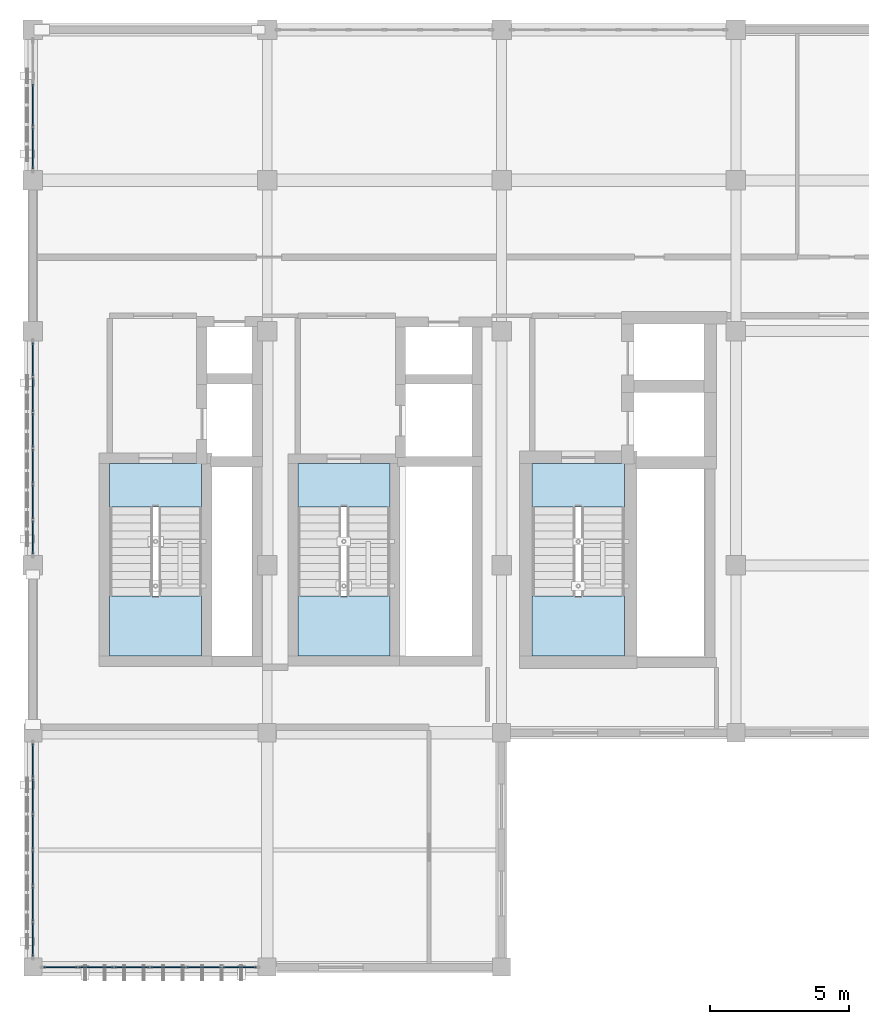
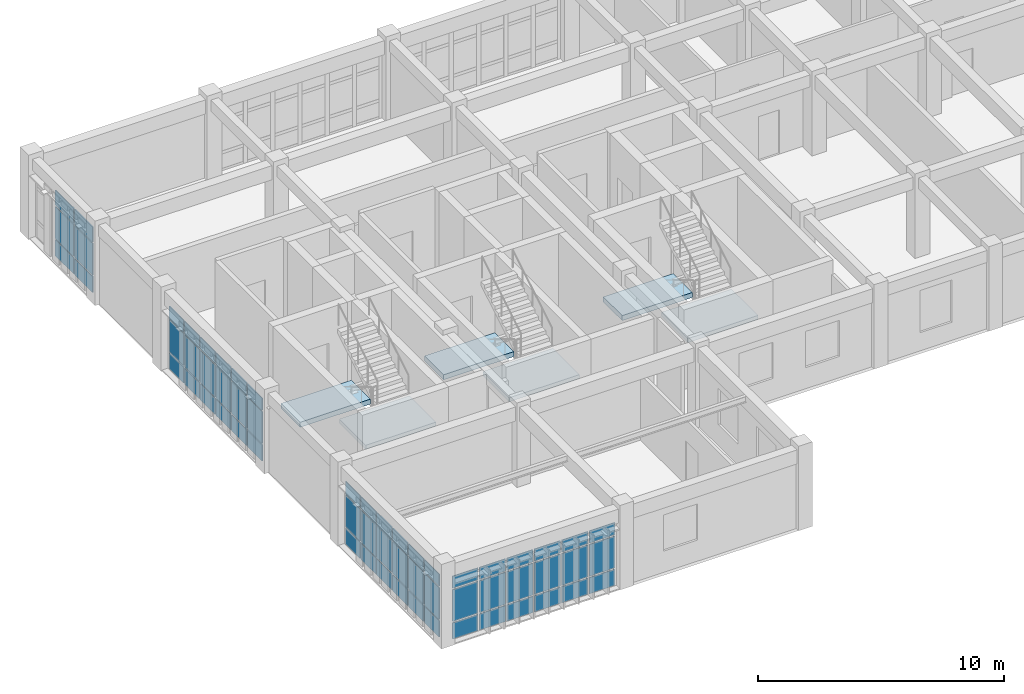
# One storey, part 16 of 22: 60 plates, 6 slabs, 7 elements without a shape of their own.
"""IFC4 building model written with IfcOpenShell, lengths in metres."""

from ifc_helpers import new_model, si_unit, direction, frame, origin, origin_2d, place, context, subcontext, project, spatial, polyline, rectangle, outline, extrude, material, layer, layer_set, type_object, element, aggregate, save


model = new_model("IFC4")

# Units and contexts
model_context = context("Model", 3, precision=1e-05, world=origin(), true_north=direction((0.0, 1.0)))
body_context = subcontext(model_context, "Body", "Model", "MODEL_VIEW")
ifc_project = project(units=[si_unit("LENGTHUNIT", "METRE"), si_unit("AREAUNIT", "SQUARE_METRE"), si_unit("VOLUMEUNIT", "CUBIC_METRE"), si_unit("PLANEANGLEUNIT", "RADIAN"), si_unit("MASSUNIT", "GRAM", prefix="KILO")], contexts=[model_context])

# Site, building, storey
site_placement = place(None, origin())
site = spatial("IfcSite", under=ifc_project, at=site_placement, CompositionType="ELEMENT")
building_placement = place(site_placement, origin())
building = spatial("IfcBuilding", under=site, at=building_placement, Name="Krzemoval Escarpment Law Courts", CompositionType="ELEMENT")
storey_placement = place(building_placement, frame((0.0, 0.0, 29.39990234375)))
storey = spatial("IfcBuildingStorey", under=building, at=storey_placement, Name="L06", CompositionType="ELEMENT", Elevation=29.39990234375)

# Curtain wall, plates
ifc_material_1 = material(Name="Aluminium 6063-T6", Category="aluminium")
ifc_layer_1 = layer(ifc_material_1, 0.219970703125)
ifc_layer_set_1 = layer_set([ifc_layer_1], Name="Aluminium 6063-T6")
curtain_wall_type = type_object("IfcCurtainWallType", Name="CW-CHMB-4200", PredefinedType="USERDEFINED", material=ifc_layer_set_1)
curtain_wall_1_placement = place(storey_placement, origin())
curtain_wall_1 = element("IfcCurtainWall", 1, at=curtain_wall_1_placement, inside=storey, type_object=curtain_wall_type, Name="Unitised Curtain Wall FCW-L06-145", ObjectType="UNITISED_CURTAIN_WALL", PredefinedType="USERDEFINED")
ifc_material_2 = material(Name="Triple Glazing IGU", Category="glass")
ifc_layer_2 = layer(ifc_material_2, 0.0419921875)
ifc_layer_set_2 = layer_set([ifc_layer_2], Name="Triple Glazing IGU")
plate_type = type_object("IfcPlateType", Name="CWP-GLZ-42", PredefinedType="CURTAIN_PANEL", material=ifc_layer_set_2)
plate_1_placement = place(storey_placement, frame((133.412841796875, 85.199951171875, 0.06494140625), z_axis=(0.0, 0.0, 1.0), x_axis=(-1.0, 0.0, 0.0)))
plate_1 = element("IfcPlate", 2, at=plate_1_placement, type_object=plate_type, Name="FCW-L06-145 panel 1.1", PredefinedType="CURTAIN_PANEL", context=body_context, shape_type="SweptSolid", body=[
    extrude(rectangle(XDim=1.194091796875, YDim=0.0419921875, at=origin_2d()), origin(), (0.0, 0.0, 1.0), 0.802490234375),
])
plate_2_placement = place(storey_placement, frame((133.412841796875, 85.199951171875, 0.9326171875), z_axis=(0.0, 0.0, 1.0), x_axis=(-1.0, 0.0, 0.0)))
plate_2 = element("IfcPlate", 3, at=plate_2_placement, type_object=plate_type, Name="FCW-L06-145 panel 1.2", PredefinedType="CURTAIN_PANEL", context=body_context, shape_type="SweptSolid", body=[
    extrude(rectangle(XDim=1.194091796875, YDim=0.0419921875, at=origin_2d()), origin(), (0.0, 0.0, 1.0), 1.5849609375),
])
plate_3_placement = place(storey_placement, frame((133.412841796875, 85.199951171875, 2.58251953125), z_axis=(0.0, 0.0, 1.0), x_axis=(-1.0, 0.0, 0.0)))
plate_3 = element("IfcPlate", 4, at=plate_3_placement, type_object=plate_type, Name="FCW-L06-145 panel 1.3", PredefinedType="CURTAIN_PANEL", context=body_context, shape_type="SweptSolid", body=[
    extrude(rectangle(XDim=1.194091796875, YDim=0.0419921875, at=origin_2d()), origin(), (0.0, 0.0, 1.0), 0.6025390625),
])
plate_4_placement = place(storey_placement, frame((132.137451171875, 85.199951171875, 0.06494140625), z_axis=(0.0, 0.0, 1.0), x_axis=(-1.0, 0.0, 0.0)))
plate_4 = element("IfcPlate", 5, at=plate_4_placement, type_object=plate_type, Name="FCW-L06-145 panel 2.1", PredefinedType="CURTAIN_PANEL", context=body_context, shape_type="SweptSolid", body=[
    extrude(rectangle(XDim=1.2265625, YDim=0.0419921875, at=origin_2d()), origin(), (0.0, 0.0, 1.0), 0.802490234375),
])
plate_5_placement = place(storey_placement, frame((132.137451171875, 85.199951171875, 0.9326171875), z_axis=(0.0, 0.0, 1.0), x_axis=(-1.0, 0.0, 0.0)))
plate_5 = element("IfcPlate", 6, at=plate_5_placement, type_object=plate_type, Name="FCW-L06-145 panel 2.2", PredefinedType="CURTAIN_PANEL", context=body_context, shape_type="SweptSolid", body=[
    extrude(rectangle(XDim=1.2265625, YDim=0.0419921875, at=origin_2d()), origin(), (0.0, 0.0, 1.0), 1.5849609375),
])
plate_6_placement = place(storey_placement, frame((132.137451171875, 85.199951171875, 2.58251953125), z_axis=(0.0, 0.0, 1.0), x_axis=(-1.0, 0.0, 0.0)))
plate_6 = element("IfcPlate", 7, at=plate_6_placement, type_object=plate_type, Name="FCW-L06-145 panel 2.3", PredefinedType="CURTAIN_PANEL", context=body_context, shape_type="SweptSolid", body=[
    extrude(rectangle(XDim=1.2265625, YDim=0.0419921875, at=origin_2d()), origin(), (0.0, 0.0, 1.0), 0.6025390625),
])
plate_7_placement = place(storey_placement, frame((130.845947265625, 85.199951171875, 0.06494140625), z_axis=(0.0, 0.0, 1.0), x_axis=(-1.0, 0.0, 0.0)))
plate_7 = element("IfcPlate", 8, at=plate_7_placement, type_object=plate_type, Name="FCW-L06-145 panel 3.1", PredefinedType="CURTAIN_PANEL", context=body_context, shape_type="SweptSolid", body=[
    extrude(rectangle(XDim=1.2265625, YDim=0.0419921875, at=origin_2d()), origin(), (0.0, 0.0, 1.0), 0.802490234375),
])
plate_8_placement = place(storey_placement, frame((130.845947265625, 85.199951171875, 0.9326171875), z_axis=(0.0, 0.0, 1.0), x_axis=(-1.0, 0.0, 0.0)))
plate_8 = element("IfcPlate", 9, at=plate_8_placement, type_object=plate_type, Name="FCW-L06-145 panel 3.2", PredefinedType="CURTAIN_PANEL", context=body_context, shape_type="SweptSolid", body=[
    extrude(rectangle(XDim=1.2265625, YDim=0.0419921875, at=origin_2d()), origin(), (0.0, 0.0, 1.0), 1.5849609375),
])
plate_9_placement = place(storey_placement, frame((130.845947265625, 85.199951171875, 2.58251953125), z_axis=(0.0, 0.0, 1.0), x_axis=(-1.0, 0.0, 0.0)))
plate_9 = element("IfcPlate", 10, at=plate_9_placement, type_object=plate_type, Name="FCW-L06-145 panel 3.3", PredefinedType="CURTAIN_PANEL", context=body_context, shape_type="SweptSolid", body=[
    extrude(rectangle(XDim=1.2265625, YDim=0.0419921875, at=origin_2d()), origin(), (0.0, 0.0, 1.0), 0.6025390625),
])
plate_10_placement = place(storey_placement, frame((129.55419921875, 85.199951171875, 0.06494140625), z_axis=(0.0, 0.0, 1.0), x_axis=(-1.0, 0.0, 0.0)))
plate_10 = element("IfcPlate", 11, at=plate_10_placement, type_object=plate_type, Name="FCW-L06-145 panel 4.1", PredefinedType="CURTAIN_PANEL", context=body_context, shape_type="SweptSolid", body=[
    extrude(rectangle(XDim=1.2265625, YDim=0.0419921875, at=origin_2d()), origin(), (0.0, 0.0, 1.0), 0.802490234375),
])
plate_11_placement = place(storey_placement, frame((129.55419921875, 85.199951171875, 0.9326171875), z_axis=(0.0, 0.0, 1.0), x_axis=(-1.0, 0.0, 0.0)))
plate_11 = element("IfcPlate", 12, at=plate_11_placement, type_object=plate_type, Name="FCW-L06-145 panel 4.2", PredefinedType="CURTAIN_PANEL", context=body_context, shape_type="SweptSolid", body=[
    extrude(rectangle(XDim=1.2265625, YDim=0.0419921875, at=origin_2d()), origin(), (0.0, 0.0, 1.0), 1.5849609375),
])
plate_12_placement = place(storey_placement, frame((129.55419921875, 85.199951171875, 2.58251953125), z_axis=(0.0, 0.0, 1.0), x_axis=(-1.0, 0.0, 0.0)))
plate_12 = element("IfcPlate", 13, at=plate_12_placement, type_object=plate_type, Name="FCW-L06-145 panel 4.3", PredefinedType="CURTAIN_PANEL", context=body_context, shape_type="SweptSolid", body=[
    extrude(rectangle(XDim=1.2265625, YDim=0.0419921875, at=origin_2d()), origin(), (0.0, 0.0, 1.0), 0.6025390625),
])
plate_13_placement = place(storey_placement, frame((128.262451171875, 85.199951171875, 0.06494140625), z_axis=(0.0, 0.0, 1.0), x_axis=(-1.0, 0.0, 0.0)))
plate_13 = element("IfcPlate", 14, at=plate_13_placement, type_object=plate_type, Name="FCW-L06-145 panel 5.1", PredefinedType="CURTAIN_PANEL", context=body_context, shape_type="SweptSolid", body=[
    extrude(rectangle(XDim=1.2265625, YDim=0.0419921875, at=origin_2d()), origin(), (0.0, 0.0, 1.0), 0.802490234375),
])
plate_14_placement = place(storey_placement, frame((128.262451171875, 85.199951171875, 0.9326171875), z_axis=(0.0, 0.0, 1.0), x_axis=(-1.0, 0.0, 0.0)))
plate_14 = element("IfcPlate", 15, at=plate_14_placement, type_object=plate_type, Name="FCW-L06-145 panel 5.2", PredefinedType="CURTAIN_PANEL", context=body_context, shape_type="SweptSolid", body=[
    extrude(rectangle(XDim=1.2265625, YDim=0.0419921875, at=origin_2d()), origin(), (0.0, 0.0, 1.0), 1.5849609375),
])
plate_15_placement = place(storey_placement, frame((128.262451171875, 85.199951171875, 2.58251953125), z_axis=(0.0, 0.0, 1.0), x_axis=(-1.0, 0.0, 0.0)))
plate_15 = element("IfcPlate", 16, at=plate_15_placement, type_object=plate_type, Name="FCW-L06-145 panel 5.3", PredefinedType="CURTAIN_PANEL", context=body_context, shape_type="SweptSolid", body=[
    extrude(rectangle(XDim=1.2265625, YDim=0.0419921875, at=origin_2d()), origin(), (0.0, 0.0, 1.0), 0.6025390625),
])
plate_16_placement = place(storey_placement, frame((126.987060546875, 85.199951171875, 0.06494140625), z_axis=(0.0, 0.0, 1.0), x_axis=(-1.0, 0.0, 0.0)))
plate_16 = element("IfcPlate", 17, at=plate_16_placement, type_object=plate_type, Name="FCW-L06-145 panel 6.1", PredefinedType="CURTAIN_PANEL", context=body_context, shape_type="SweptSolid", body=[
    extrude(rectangle(XDim=1.194091796875, YDim=0.0419921875, at=origin_2d()), origin(), (0.0, 0.0, 1.0), 0.802490234375),
])
plate_17_placement = place(storey_placement, frame((126.987060546875, 85.199951171875, 0.9326171875), z_axis=(0.0, 0.0, 1.0), x_axis=(-1.0, 0.0, 0.0)))
plate_17 = element("IfcPlate", 18, at=plate_17_placement, type_object=plate_type, Name="FCW-L06-145 panel 6.2", PredefinedType="CURTAIN_PANEL", context=body_context, shape_type="SweptSolid", body=[
    extrude(rectangle(XDim=1.194091796875, YDim=0.0419921875, at=origin_2d()), origin(), (0.0, 0.0, 1.0), 1.5849609375),
])
plate_18_placement = place(storey_placement, frame((126.987060546875, 85.199951171875, 2.58251953125), z_axis=(0.0, 0.0, 1.0), x_axis=(-1.0, 0.0, 0.0)))
plate_18 = element("IfcPlate", 19, at=plate_18_placement, type_object=plate_type, Name="FCW-L06-145 panel 6.3", PredefinedType="CURTAIN_PANEL", context=body_context, shape_type="SweptSolid", body=[
    extrude(rectangle(XDim=1.194091796875, YDim=0.0419921875, at=origin_2d()), origin(), (0.0, 0.0, 1.0), 0.6025390625),
])
aggregate(curtain_wall_1, [plate_1, plate_2, plate_3, plate_4, plate_5, plate_6, plate_7, plate_8, plate_9, plate_10, plate_11, plate_12, plate_13, plate_14, plate_15, plate_16, plate_17, plate_18])

curtain_wall_2_placement = place(storey_placement, origin())
curtain_wall_2 = element("IfcCurtainWall", 20, at=curtain_wall_2_placement, inside=storey, type_object=curtain_wall_type, Name="Unitised Curtain Wall FCW-L06-146", ObjectType="UNITISED_CURTAIN_WALL", PredefinedType="USERDEFINED")
plate_19_placement = place(storey_placement, frame((126.0, 86.18701171875, 0.06494140625), z_axis=(0.0, 0.0, 1.0), x_axis=(0.0, 1.0, 0.0)))
plate_19 = element("IfcPlate", 21, at=plate_19_placement, type_object=plate_type, Name="FCW-L06-146 panel 1.1", PredefinedType="CURTAIN_PANEL", context=body_context, shape_type="SweptSolid", body=[
    extrude(rectangle(XDim=1.194091796875, YDim=0.0419921875, at=origin_2d()), origin(), (0.0, 0.0, 1.0), 0.802490234375),
])
plate_20_placement = place(storey_placement, frame((126.0, 86.18701171875, 0.9326171875), z_axis=(0.0, 0.0, 1.0), x_axis=(0.0, 1.0, 0.0)))
plate_20 = element("IfcPlate", 22, at=plate_20_placement, type_object=plate_type, Name="FCW-L06-146 panel 1.2", PredefinedType="CURTAIN_PANEL", context=body_context, shape_type="SweptSolid", body=[
    extrude(rectangle(XDim=1.194091796875, YDim=0.0419921875, at=origin_2d()), origin(), (0.0, 0.0, 1.0), 1.5849609375),
])
plate_21_placement = place(storey_placement, frame((126.0, 86.18701171875, 2.58251953125), z_axis=(0.0, 0.0, 1.0), x_axis=(0.0, 1.0, 0.0)))
plate_21 = element("IfcPlate", 23, at=plate_21_placement, type_object=plate_type, Name="FCW-L06-146 panel 1.3", PredefinedType="CURTAIN_PANEL", context=body_context, shape_type="SweptSolid", body=[
    extrude(rectangle(XDim=1.194091796875, YDim=0.0419921875, at=origin_2d()), origin(), (0.0, 0.0, 1.0), 0.6025390625),
])
plate_22_placement = place(storey_placement, frame((126.0, 87.46240234375, 0.06494140625), z_axis=(0.0, 0.0, 1.0), x_axis=(0.0, 1.0, 0.0)))
plate_22 = element("IfcPlate", 24, at=plate_22_placement, type_object=plate_type, Name="FCW-L06-146 panel 2.1", PredefinedType="CURTAIN_PANEL", context=body_context, shape_type="SweptSolid", body=[
    extrude(rectangle(XDim=1.2265625, YDim=0.0419921875, at=origin_2d()), origin(), (0.0, 0.0, 1.0), 0.802490234375),
])
plate_23_placement = place(storey_placement, frame((126.0, 87.46240234375, 0.9326171875), z_axis=(0.0, 0.0, 1.0), x_axis=(0.0, 1.0, 0.0)))
plate_23 = element("IfcPlate", 25, at=plate_23_placement, type_object=plate_type, Name="FCW-L06-146 panel 2.2", PredefinedType="CURTAIN_PANEL", context=body_context, shape_type="SweptSolid", body=[
    extrude(rectangle(XDim=1.2265625, YDim=0.0419921875, at=origin_2d()), origin(), (0.0, 0.0, 1.0), 1.5849609375),
])
plate_24_placement = place(storey_placement, frame((126.0, 87.46240234375, 2.58251953125), z_axis=(0.0, 0.0, 1.0), x_axis=(0.0, 1.0, 0.0)))
plate_24 = element("IfcPlate", 26, at=plate_24_placement, type_object=plate_type, Name="FCW-L06-146 panel 2.3", PredefinedType="CURTAIN_PANEL", context=body_context, shape_type="SweptSolid", body=[
    extrude(rectangle(XDim=1.2265625, YDim=0.0419921875, at=origin_2d()), origin(), (0.0, 0.0, 1.0), 0.6025390625),
])
plate_25_placement = place(storey_placement, frame((126.0, 88.754150390625, 0.06494140625), z_axis=(0.0, 0.0, 1.0), x_axis=(0.0, 1.0, 0.0)))
plate_25 = element("IfcPlate", 27, at=plate_25_placement, type_object=plate_type, Name="FCW-L06-146 panel 3.1", PredefinedType="CURTAIN_PANEL", context=body_context, shape_type="SweptSolid", body=[
    extrude(rectangle(XDim=1.2265625, YDim=0.0419921875, at=origin_2d()), origin(), (0.0, 0.0, 1.0), 0.802490234375),
])
plate_26_placement = place(storey_placement, frame((126.0, 88.754150390625, 0.9326171875), z_axis=(0.0, 0.0, 1.0), x_axis=(0.0, 1.0, 0.0)))
plate_26 = element("IfcPlate", 28, at=plate_26_placement, type_object=plate_type, Name="FCW-L06-146 panel 3.2", PredefinedType="CURTAIN_PANEL", context=body_context, shape_type="SweptSolid", body=[
    extrude(rectangle(XDim=1.2265625, YDim=0.0419921875, at=origin_2d()), origin(), (0.0, 0.0, 1.0), 1.5849609375),
])
plate_27_placement = place(storey_placement, frame((126.0, 88.754150390625, 2.58251953125), z_axis=(0.0, 0.0, 1.0), x_axis=(0.0, 1.0, 0.0)))
plate_27 = element("IfcPlate", 29, at=plate_27_placement, type_object=plate_type, Name="FCW-L06-146 panel 3.3", PredefinedType="CURTAIN_PANEL", context=body_context, shape_type="SweptSolid", body=[
    extrude(rectangle(XDim=1.2265625, YDim=0.0419921875, at=origin_2d()), origin(), (0.0, 0.0, 1.0), 0.6025390625),
])
plate_28_placement = place(storey_placement, frame((126.0, 90.0458984375, 0.06494140625), z_axis=(0.0, 0.0, 1.0), x_axis=(0.0, 1.0, 0.0)))
plate_28 = element("IfcPlate", 30, at=plate_28_placement, type_object=plate_type, Name="FCW-L06-146 panel 4.1", PredefinedType="CURTAIN_PANEL", context=body_context, shape_type="SweptSolid", body=[
    extrude(rectangle(XDim=1.2265625, YDim=0.0419921875, at=origin_2d()), origin(), (0.0, 0.0, 1.0), 0.802490234375),
])
plate_29_placement = place(storey_placement, frame((126.0, 90.0458984375, 0.9326171875), z_axis=(0.0, 0.0, 1.0), x_axis=(0.0, 1.0, 0.0)))
plate_29 = element("IfcPlate", 31, at=plate_29_placement, type_object=plate_type, Name="FCW-L06-146 panel 4.2", PredefinedType="CURTAIN_PANEL", context=body_context, shape_type="SweptSolid", body=[
    extrude(rectangle(XDim=1.2265625, YDim=0.0419921875, at=origin_2d()), origin(), (0.0, 0.0, 1.0), 1.5849609375),
])
plate_30_placement = place(storey_placement, frame((126.0, 90.0458984375, 2.58251953125), z_axis=(0.0, 0.0, 1.0), x_axis=(0.0, 1.0, 0.0)))
plate_30 = element("IfcPlate", 32, at=plate_30_placement, type_object=plate_type, Name="FCW-L06-146 panel 4.3", PredefinedType="CURTAIN_PANEL", context=body_context, shape_type="SweptSolid", body=[
    extrude(rectangle(XDim=1.2265625, YDim=0.0419921875, at=origin_2d()), origin(), (0.0, 0.0, 1.0), 0.6025390625),
])
plate_31_placement = place(storey_placement, frame((126.0, 91.33740234375, 0.06494140625), z_axis=(0.0, 0.0, 1.0), x_axis=(0.0, 1.0, 0.0)))
plate_31 = element("IfcPlate", 33, at=plate_31_placement, type_object=plate_type, Name="FCW-L06-146 panel 5.1", PredefinedType="CURTAIN_PANEL", context=body_context, shape_type="SweptSolid", body=[
    extrude(rectangle(XDim=1.2265625, YDim=0.0419921875, at=origin_2d()), origin(), (0.0, 0.0, 1.0), 0.802490234375),
])
plate_32_placement = place(storey_placement, frame((126.0, 91.33740234375, 0.9326171875), z_axis=(0.0, 0.0, 1.0), x_axis=(0.0, 1.0, 0.0)))
plate_32 = element("IfcPlate", 34, at=plate_32_placement, type_object=plate_type, Name="FCW-L06-146 panel 5.2", PredefinedType="CURTAIN_PANEL", context=body_context, shape_type="SweptSolid", body=[
    extrude(rectangle(XDim=1.2265625, YDim=0.0419921875, at=origin_2d()), origin(), (0.0, 0.0, 1.0), 1.5849609375),
])
plate_33_placement = place(storey_placement, frame((126.0, 91.33740234375, 2.58251953125), z_axis=(0.0, 0.0, 1.0), x_axis=(0.0, 1.0, 0.0)))
plate_33 = element("IfcPlate", 35, at=plate_33_placement, type_object=plate_type, Name="FCW-L06-146 panel 5.3", PredefinedType="CURTAIN_PANEL", context=body_context, shape_type="SweptSolid", body=[
    extrude(rectangle(XDim=1.2265625, YDim=0.0419921875, at=origin_2d()), origin(), (0.0, 0.0, 1.0), 0.6025390625),
])
plate_34_placement = place(storey_placement, frame((126.0, 92.613037109375, 0.06494140625), z_axis=(0.0, 0.0, 1.0), x_axis=(0.0, 1.0, 0.0)))
plate_34 = element("IfcPlate", 36, at=plate_34_placement, type_object=plate_type, Name="FCW-L06-146 panel 6.1", PredefinedType="CURTAIN_PANEL", context=body_context, shape_type="SweptSolid", body=[
    extrude(rectangle(XDim=1.194091796875, YDim=0.0419921875, at=origin_2d()), origin(), (0.0, 0.0, 1.0), 0.802490234375),
])
plate_35_placement = place(storey_placement, frame((126.0, 92.613037109375, 0.9326171875), z_axis=(0.0, 0.0, 1.0), x_axis=(0.0, 1.0, 0.0)))
plate_35 = element("IfcPlate", 37, at=plate_35_placement, type_object=plate_type, Name="FCW-L06-146 panel 6.2", PredefinedType="CURTAIN_PANEL", context=body_context, shape_type="SweptSolid", body=[
    extrude(rectangle(XDim=1.194091796875, YDim=0.0419921875, at=origin_2d()), origin(), (0.0, 0.0, 1.0), 1.5849609375),
])
plate_36_placement = place(storey_placement, frame((126.0, 92.613037109375, 2.58251953125), z_axis=(0.0, 0.0, 1.0), x_axis=(0.0, 1.0, 0.0)))
plate_36 = element("IfcPlate", 38, at=plate_36_placement, type_object=plate_type, Name="FCW-L06-146 panel 6.3", PredefinedType="CURTAIN_PANEL", context=body_context, shape_type="SweptSolid", body=[
    extrude(rectangle(XDim=1.194091796875, YDim=0.0419921875, at=origin_2d()), origin(), (0.0, 0.0, 1.0), 0.6025390625),
])
aggregate(curtain_wall_2, [plate_19, plate_20, plate_21, plate_22, plate_23, plate_24, plate_25, plate_26, plate_27, plate_28, plate_29, plate_30, plate_31, plate_32, plate_33, plate_34, plate_35, plate_36])

curtain_wall_3_placement = place(storey_placement, origin())
curtain_wall_3 = element("IfcCurtainWall", 39, at=curtain_wall_3_placement, inside=storey, type_object=curtain_wall_type, Name="Unitised Curtain Wall FCW-L06-147", ObjectType="UNITISED_CURTAIN_WALL", PredefinedType="USERDEFINED")
plate_37_placement = place(storey_placement, frame((126.0, 100.60791015625, 0.06494140625), z_axis=(0.0, 0.0, 1.0), x_axis=(0.0, 1.0, 0.0)))
plate_37 = element("IfcPlate", 40, at=plate_37_placement, type_object=plate_type, Name="FCW-L06-147 panel 1.1", PredefinedType="CURTAIN_PANEL", context=body_context, shape_type="SweptSolid", body=[
    extrude(rectangle(XDim=1.185791015625, YDim=0.0419921875, at=origin_2d()), origin(), (0.0, 0.0, 1.0), 0.802490234375),
])
plate_38_placement = place(storey_placement, frame((126.0, 100.60791015625, 0.9326171875), z_axis=(0.0, 0.0, 1.0), x_axis=(0.0, 1.0, 0.0)))
plate_38 = element("IfcPlate", 41, at=plate_38_placement, type_object=plate_type, Name="FCW-L06-147 panel 1.2", PredefinedType="CURTAIN_PANEL", context=body_context, shape_type="SweptSolid", body=[
    extrude(rectangle(XDim=1.185791015625, YDim=0.0419921875, at=origin_2d()), origin(), (0.0, 0.0, 1.0), 1.5849609375),
])
plate_39_placement = place(storey_placement, frame((126.0, 100.60791015625, 2.58251953125), z_axis=(0.0, 0.0, 1.0), x_axis=(0.0, 1.0, 0.0)))
plate_39 = element("IfcPlate", 42, at=plate_39_placement, type_object=plate_type, Name="FCW-L06-147 panel 1.3", PredefinedType="CURTAIN_PANEL", context=body_context, shape_type="SweptSolid", body=[
    extrude(rectangle(XDim=1.185791015625, YDim=0.0419921875, at=origin_2d()), origin(), (0.0, 0.0, 1.0), 0.6025390625),
])
plate_40_placement = place(storey_placement, frame((126.0, 101.875, 0.06494140625), z_axis=(0.0, 0.0, 1.0), x_axis=(0.0, 1.0, 0.0)))
plate_40 = element("IfcPlate", 43, at=plate_40_placement, type_object=plate_type, Name="FCW-L06-147 panel 2.1", PredefinedType="CURTAIN_PANEL", context=body_context, shape_type="SweptSolid", body=[
    extrude(rectangle(XDim=1.21826171875, YDim=0.0419921875, at=origin_2d()), origin(), (0.0, 0.0, 1.0), 0.802490234375),
])
plate_41_placement = place(storey_placement, frame((126.0, 101.875, 0.9326171875), z_axis=(0.0, 0.0, 1.0), x_axis=(0.0, 1.0, 0.0)))
plate_41 = element("IfcPlate", 44, at=plate_41_placement, type_object=plate_type, Name="FCW-L06-147 panel 2.2", PredefinedType="CURTAIN_PANEL", context=body_context, shape_type="SweptSolid", body=[
    extrude(rectangle(XDim=1.21826171875, YDim=0.0419921875, at=origin_2d()), origin(), (0.0, 0.0, 1.0), 1.5849609375),
])
plate_42_placement = place(storey_placement, frame((126.0, 101.875, 2.58251953125), z_axis=(0.0, 0.0, 1.0), x_axis=(0.0, 1.0, 0.0)))
plate_42 = element("IfcPlate", 45, at=plate_42_placement, type_object=plate_type, Name="FCW-L06-147 panel 2.3", PredefinedType="CURTAIN_PANEL", context=body_context, shape_type="SweptSolid", body=[
    extrude(rectangle(XDim=1.21826171875, YDim=0.0419921875, at=origin_2d()), origin(), (0.0, 0.0, 1.0), 0.6025390625),
])
plate_43_placement = place(storey_placement, frame((126.0, 103.158447265625, 0.06494140625), z_axis=(0.0, 0.0, 1.0), x_axis=(0.0, 1.0, 0.0)))
plate_43 = element("IfcPlate", 46, at=plate_43_placement, type_object=plate_type, Name="FCW-L06-147 panel 3.1", PredefinedType="CURTAIN_PANEL", context=body_context, shape_type="SweptSolid", body=[
    extrude(rectangle(XDim=1.21826171875, YDim=0.0419921875, at=origin_2d()), origin(), (0.0, 0.0, 1.0), 0.802490234375),
])
plate_44_placement = place(storey_placement, frame((126.0, 103.158447265625, 0.9326171875), z_axis=(0.0, 0.0, 1.0), x_axis=(0.0, 1.0, 0.0)))
plate_44 = element("IfcPlate", 47, at=plate_44_placement, type_object=plate_type, Name="FCW-L06-147 panel 3.2", PredefinedType="CURTAIN_PANEL", context=body_context, shape_type="SweptSolid", body=[
    extrude(rectangle(XDim=1.21826171875, YDim=0.0419921875, at=origin_2d()), origin(), (0.0, 0.0, 1.0), 1.5849609375),
])
plate_45_placement = place(storey_placement, frame((126.0, 103.158447265625, 2.58251953125), z_axis=(0.0, 0.0, 1.0), x_axis=(0.0, 1.0, 0.0)))
plate_45 = element("IfcPlate", 48, at=plate_45_placement, type_object=plate_type, Name="FCW-L06-147 panel 3.3", PredefinedType="CURTAIN_PANEL", context=body_context, shape_type="SweptSolid", body=[
    extrude(rectangle(XDim=1.21826171875, YDim=0.0419921875, at=origin_2d()), origin(), (0.0, 0.0, 1.0), 0.6025390625),
])
plate_46_placement = place(storey_placement, frame((126.0, 104.441650390625, 0.06494140625), z_axis=(0.0, 0.0, 1.0), x_axis=(0.0, 1.0, 0.0)))
plate_46 = element("IfcPlate", 49, at=plate_46_placement, type_object=plate_type, Name="FCW-L06-147 panel 4.1", PredefinedType="CURTAIN_PANEL", context=body_context, shape_type="SweptSolid", body=[
    extrude(rectangle(XDim=1.21826171875, YDim=0.0419921875, at=origin_2d()), origin(), (0.0, 0.0, 1.0), 0.802490234375),
])
plate_47_placement = place(storey_placement, frame((126.0, 104.441650390625, 0.9326171875), z_axis=(0.0, 0.0, 1.0), x_axis=(0.0, 1.0, 0.0)))
plate_47 = element("IfcPlate", 50, at=plate_47_placement, type_object=plate_type, Name="FCW-L06-147 panel 4.2", PredefinedType="CURTAIN_PANEL", context=body_context, shape_type="SweptSolid", body=[
    extrude(rectangle(XDim=1.21826171875, YDim=0.0419921875, at=origin_2d()), origin(), (0.0, 0.0, 1.0), 1.5849609375),
])
plate_48_placement = place(storey_placement, frame((126.0, 104.441650390625, 2.58251953125), z_axis=(0.0, 0.0, 1.0), x_axis=(0.0, 1.0, 0.0)))
plate_48 = element("IfcPlate", 51, at=plate_48_placement, type_object=plate_type, Name="FCW-L06-147 panel 4.3", PredefinedType="CURTAIN_PANEL", context=body_context, shape_type="SweptSolid", body=[
    extrude(rectangle(XDim=1.21826171875, YDim=0.0419921875, at=origin_2d()), origin(), (0.0, 0.0, 1.0), 0.6025390625),
])
plate_49_placement = place(storey_placement, frame((126.0, 105.72509765625, 0.06494140625), z_axis=(0.0, 0.0, 1.0), x_axis=(0.0, 1.0, 0.0)))
plate_49 = element("IfcPlate", 52, at=plate_49_placement, type_object=plate_type, Name="FCW-L06-147 panel 5.1", PredefinedType="CURTAIN_PANEL", context=body_context, shape_type="SweptSolid", body=[
    extrude(rectangle(XDim=1.21826171875, YDim=0.0419921875, at=origin_2d()), origin(), (0.0, 0.0, 1.0), 0.802490234375),
])
plate_50_placement = place(storey_placement, frame((126.0, 105.72509765625, 0.9326171875), z_axis=(0.0, 0.0, 1.0), x_axis=(0.0, 1.0, 0.0)))
plate_50 = element("IfcPlate", 53, at=plate_50_placement, type_object=plate_type, Name="FCW-L06-147 panel 5.2", PredefinedType="CURTAIN_PANEL", context=body_context, shape_type="SweptSolid", body=[
    extrude(rectangle(XDim=1.21826171875, YDim=0.0419921875, at=origin_2d()), origin(), (0.0, 0.0, 1.0), 1.5849609375),
])
plate_51_placement = place(storey_placement, frame((126.0, 105.72509765625, 2.58251953125), z_axis=(0.0, 0.0, 1.0), x_axis=(0.0, 1.0, 0.0)))
plate_51 = element("IfcPlate", 54, at=plate_51_placement, type_object=plate_type, Name="FCW-L06-147 panel 5.3", PredefinedType="CURTAIN_PANEL", context=body_context, shape_type="SweptSolid", body=[
    extrude(rectangle(XDim=1.21826171875, YDim=0.0419921875, at=origin_2d()), origin(), (0.0, 0.0, 1.0), 0.6025390625),
])
plate_52_placement = place(storey_placement, frame((126.0, 106.9921875, 0.06494140625), z_axis=(0.0, 0.0, 1.0), x_axis=(0.0, 1.0, 0.0)))
plate_52 = element("IfcPlate", 55, at=plate_52_placement, type_object=plate_type, Name="FCW-L06-147 panel 6.1", PredefinedType="CURTAIN_PANEL", context=body_context, shape_type="SweptSolid", body=[
    extrude(rectangle(XDim=1.185791015625, YDim=0.0419921875, at=origin_2d()), origin(), (0.0, 0.0, 1.0), 0.802490234375),
])
plate_53_placement = place(storey_placement, frame((126.0, 106.9921875, 0.9326171875), z_axis=(0.0, 0.0, 1.0), x_axis=(0.0, 1.0, 0.0)))
plate_53 = element("IfcPlate", 56, at=plate_53_placement, type_object=plate_type, Name="FCW-L06-147 panel 6.2", PredefinedType="CURTAIN_PANEL", context=body_context, shape_type="SweptSolid", body=[
    extrude(rectangle(XDim=1.185791015625, YDim=0.0419921875, at=origin_2d()), origin(), (0.0, 0.0, 1.0), 1.5849609375),
])
plate_54_placement = place(storey_placement, frame((126.0, 106.9921875, 2.58251953125), z_axis=(0.0, 0.0, 1.0), x_axis=(0.0, 1.0, 0.0)))
plate_54 = element("IfcPlate", 57, at=plate_54_placement, type_object=plate_type, Name="FCW-L06-147 panel 6.3", PredefinedType="CURTAIN_PANEL", context=body_context, shape_type="SweptSolid", body=[
    extrude(rectangle(XDim=1.185791015625, YDim=0.0419921875, at=origin_2d()), origin(), (0.0, 0.0, 1.0), 0.6025390625),
])
aggregate(curtain_wall_3, [plate_37, plate_38, plate_39, plate_40, plate_41, plate_42, plate_43, plate_44, plate_45, plate_46, plate_47, plate_48, plate_49, plate_50, plate_51, plate_52, plate_53, plate_54])

curtain_wall_4_placement = place(storey_placement, origin())
curtain_wall_4 = element("IfcCurtainWall", 58, at=curtain_wall_4_placement, inside=storey, type_object=curtain_wall_type, Name="Unitised Curtain Wall FCW-L06-148", ObjectType="UNITISED_CURTAIN_WALL", PredefinedType="USERDEFINED")
plate_55_placement = place(storey_placement, frame((126.0, 114.549560546875, 0.06494140625), z_axis=(0.0, 0.0, 1.0), x_axis=(0.0, 1.0, 0.0)))
plate_55 = element("IfcPlate", 59, at=plate_55_placement, type_object=plate_type, Name="FCW-L06-148 panel 1.1", PredefinedType="CURTAIN_PANEL", context=body_context, shape_type="SweptSolid", body=[
    extrude(rectangle(XDim=1.46923828125, YDim=0.0419921875, at=origin_2d()), origin(), (0.0, 0.0, 1.0), 0.802490234375),
])
plate_56_placement = place(storey_placement, frame((126.0, 114.549560546875, 0.9326171875), z_axis=(0.0, 0.0, 1.0), x_axis=(0.0, 1.0, 0.0)))
plate_56 = element("IfcPlate", 60, at=plate_56_placement, type_object=plate_type, Name="FCW-L06-148 panel 1.2", PredefinedType="CURTAIN_PANEL", context=body_context, shape_type="SweptSolid", body=[
    extrude(rectangle(XDim=1.46923828125, YDim=0.0419921875, at=origin_2d()), origin(), (0.0, 0.0, 1.0), 1.5849609375),
])
plate_57_placement = place(storey_placement, frame((126.0, 114.549560546875, 2.58251953125), z_axis=(0.0, 0.0, 1.0), x_axis=(0.0, 1.0, 0.0)))
plate_57 = element("IfcPlate", 61, at=plate_57_placement, type_object=plate_type, Name="FCW-L06-148 panel 1.3", PredefinedType="CURTAIN_PANEL", context=body_context, shape_type="SweptSolid", body=[
    extrude(rectangle(XDim=1.46923828125, YDim=0.0419921875, at=origin_2d()), origin(), (0.0, 0.0, 1.0), 0.75244140625),
])
plate_58_placement = place(storey_placement, frame((126.0, 116.10009765625, 0.06494140625), z_axis=(0.0, 0.0, 1.0), x_axis=(0.0, 1.0, 0.0)))
plate_58 = element("IfcPlate", 62, at=plate_58_placement, type_object=plate_type, Name="FCW-L06-148 panel 2.1", PredefinedType="CURTAIN_PANEL", context=body_context, shape_type="SweptSolid", body=[
    extrude(rectangle(XDim=1.501708984375, YDim=0.0419921875, at=origin_2d()), origin(), (0.0, 0.0, 1.0), 0.802490234375),
])
plate_59_placement = place(storey_placement, frame((126.0, 116.10009765625, 0.9326171875), z_axis=(0.0, 0.0, 1.0), x_axis=(0.0, 1.0, 0.0)))
plate_59 = element("IfcPlate", 63, at=plate_59_placement, type_object=plate_type, Name="FCW-L06-148 panel 2.2", PredefinedType="CURTAIN_PANEL", context=body_context, shape_type="SweptSolid", body=[
    extrude(rectangle(XDim=1.501708984375, YDim=0.0419921875, at=origin_2d()), origin(), (0.0, 0.0, 1.0), 1.5849609375),
])
plate_60_placement = place(storey_placement, frame((126.0, 116.10009765625, 2.58251953125), z_axis=(0.0, 0.0, 1.0), x_axis=(0.0, 1.0, 0.0)))
plate_60 = element("IfcPlate", 64, at=plate_60_placement, type_object=plate_type, Name="FCW-L06-148 panel 2.3", PredefinedType="CURTAIN_PANEL", context=body_context, shape_type="SweptSolid", body=[
    extrude(rectangle(XDim=1.501708984375, YDim=0.0419921875, at=origin_2d()), origin(), (0.0, 0.0, 1.0), 0.75244140625),
])
aggregate(curtain_wall_4, [plate_55, plate_56, plate_57, plate_58, plate_59, plate_60])

# Slabs
ifc_material_3 = material(Name="Concrete C40/50", Category="concrete")
ifc_layer_3 = layer(ifc_material_3, 0.25)
ifc_layer_set_3 = layer_set([ifc_layer_3], Name="Concrete C40/50")
slab_type_1 = type_object("IfcSlabType", Name="SL-FLR-250", PredefinedType="FLOOR", material=ifc_layer_set_3)
slab_1_placement = place(storey_placement, frame((0.0, 0.0, -0.25)))
element("IfcSlab", 65, at=slab_1_placement, inside=storey, type_object=slab_type_1, Name="Core Floor Landing Slab SL-ST1-L06-FL", PredefinedType="FLOOR", context=body_context, shape_type="SweptSolid", body=[
    extrude(outline(polyline([(128.75, 103.25), (128.75, 101.699951171875), (132.050048828125, 101.699951171875), (132.050048828125, 103.25), (128.75, 103.25)])), origin(), (0.0, 0.0, 1.0), 0.25),
])
slab_2_placement = place(storey_placement, frame((0.0, 0.0, -0.25)))
element("IfcSlab", 66, at=slab_2_placement, inside=storey, type_object=slab_type_1, Name="Core Floor Landing Slab SL-ST2-L06-FL", PredefinedType="FLOOR", context=body_context, shape_type="SweptSolid", body=[
    extrude(outline(polyline([(135.5, 103.25), (135.5, 101.699951171875), (138.800048828125, 101.699951171875), (138.800048828125, 103.25), (135.5, 103.25)])), origin(), (0.0, 0.0, 1.0), 0.25),
])
slab_3_placement = place(storey_placement, frame((0.0, 0.0, -0.25)))
element("IfcSlab", 67, at=slab_3_placement, inside=storey, type_object=slab_type_1, Name="Core Floor Landing Slab SL-ST3-L06-FL", PredefinedType="FLOOR", context=body_context, shape_type="SweptSolid", body=[
    extrude(outline(polyline([(143.89990234375, 103.25), (143.89990234375, 101.699951171875), (147.199951171875, 101.699951171875), (147.199951171875, 103.25), (143.89990234375, 103.25)])), origin(), (0.0, 0.0, 1.0), 0.25),
])

# Stair, slab
ifc_material_4 = material(Name="Concrete C40/50", Category="concrete")
stair_type = type_object("IfcStairType", Name="STR-CORE-1550", PredefinedType="HALF_TURN_STAIR", material=ifc_material_4)
stair_1_placement = place(storey_placement, origin())
stair_1 = element("IfcStair", 68, at=stair_1_placement, inside=storey, type_object=stair_type, Name="L06 ST1", PredefinedType="HALF_TURN_STAIR")
ifc_material_5 = material(Name="Concrete C40/50", Category="concrete")
ifc_layer_4 = layer(ifc_material_5, 0.199951171875)
ifc_layer_set_4 = layer_set([ifc_layer_4], Name="Concrete C40/50")
slab_type_2 = type_object("IfcSlabType", Name="SL-LND-200", PredefinedType="LANDING", material=ifc_layer_set_4)
slab_4_placement = place(storey_placement, frame((0.0, 0.0, 1.900146484375)))
slab_4 = element("IfcSlab", 69, at=slab_4_placement, type_object=slab_type_2, Name="ST1 landing 1", PredefinedType="LANDING", context=body_context, shape_type="SweptSolid", body=[
    extrude(outline(polyline([(128.75, 98.510009765625), (128.75, 96.35009765625), (132.050048828125, 96.35009765625), (132.050048828125, 98.510009765625), (128.75, 98.510009765625)])), origin(), (0.0, 0.0, 1.0), 0.199951171875),
])
aggregate(stair_1, [slab_4])

stair_2_placement = place(storey_placement, origin())
stair_2 = element("IfcStair", 70, at=stair_2_placement, inside=storey, type_object=stair_type, Name="L06 ST2", PredefinedType="HALF_TURN_STAIR")
slab_5_placement = place(storey_placement, frame((0.0, 0.0, 1.900146484375)))
slab_5 = element("IfcSlab", 71, at=slab_5_placement, type_object=slab_type_2, Name="ST2 landing 1", PredefinedType="LANDING", context=body_context, shape_type="SweptSolid", body=[
    extrude(outline(polyline([(135.5, 98.510009765625), (135.5, 96.35009765625), (138.800048828125, 96.35009765625), (138.800048828125, 98.510009765625), (135.5, 98.510009765625)])), origin(), (0.0, 0.0, 1.0), 0.199951171875),
])
aggregate(stair_2, [slab_5])

stair_3_placement = place(storey_placement, origin())
stair_3 = element("IfcStair", 72, at=stair_3_placement, inside=storey, type_object=stair_type, Name="L06 ST3", PredefinedType="HALF_TURN_STAIR")
slab_6_placement = place(storey_placement, frame((0.0, 0.0, 1.900146484375)))
slab_6 = element("IfcSlab", 73, at=slab_6_placement, type_object=slab_type_2, Name="ST3 landing 1", PredefinedType="LANDING", context=body_context, shape_type="SweptSolid", body=[
    extrude(outline(polyline([(143.89990234375, 98.510009765625), (143.89990234375, 96.35009765625), (147.199951171875, 96.35009765625), (147.199951171875, 98.510009765625), (143.89990234375, 98.510009765625)])), origin(), (0.0, 0.0, 1.0), 0.199951171875),
])
aggregate(stair_3, [slab_6])

save(model, "model.ifc")
